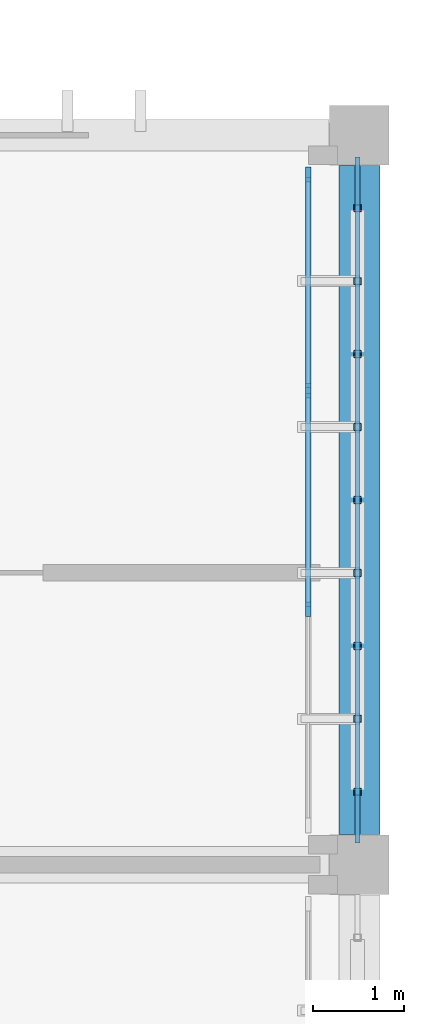
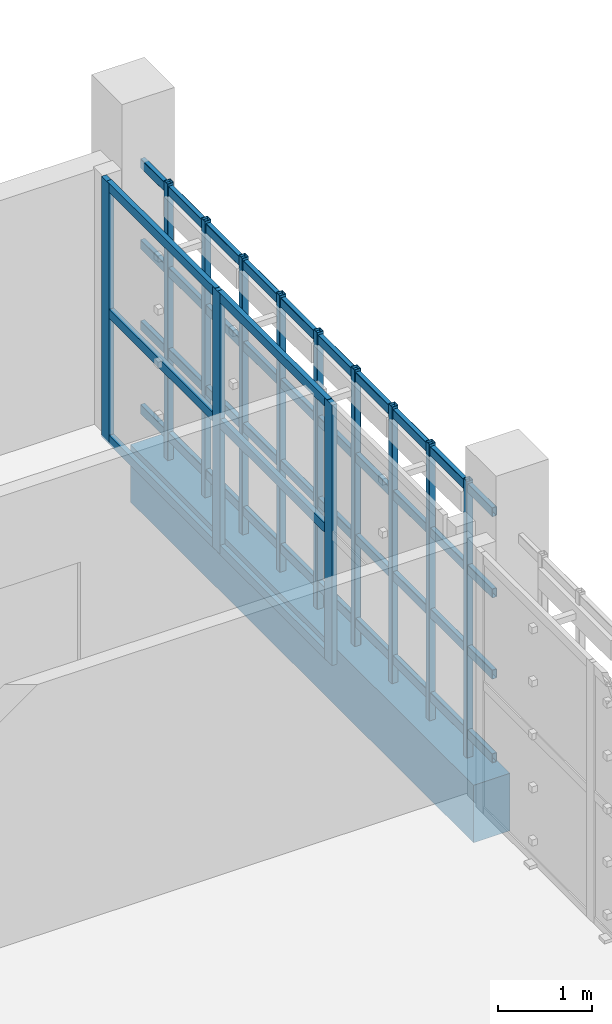
# One storey, part 64 of 137: 22 members, 1 beam, 1 element without a shape of its own.
"""IFC4 building model written with IfcOpenShell, lengths in metres."""

from ifc_helpers import new_model, si_unit, direction, frame, origin, origin_2d, place, context, subcontext, project, spatial, rectangle, hollow_rectangle, extrude, material, layer, layer_set, material_profile, profile_set, type_object, element, aggregate, save


model = new_model("IFC4")

# Units and contexts
model_context = context("Model", 3, precision=1e-05, world=origin(), true_north=direction((0.0, 1.0)))
body_context = subcontext(model_context, "Body", "Model", "MODEL_VIEW")
ifc_project = project(units=[si_unit("LENGTHUNIT", "METRE"), si_unit("AREAUNIT", "SQUARE_METRE"), si_unit("VOLUMEUNIT", "CUBIC_METRE"), si_unit("PLANEANGLEUNIT", "RADIAN"), si_unit("MASSUNIT", "GRAM", prefix="KILO")], contexts=[model_context])

# Site, building, storey
site_placement = place(None, origin())
site = spatial("IfcSite", under=ifc_project, at=site_placement, CompositionType="ELEMENT")
building_placement = place(site_placement, origin())
building = spatial("IfcBuilding", under=site, at=building_placement, Name="Jelvoka-Kovrelna Polytechnic", CompositionType="ELEMENT")
storey_placement = place(building_placement, frame((0.0, 0.0, 9.60009765625)))
storey = spatial("IfcBuildingStorey", under=building, at=storey_placement, Name="L03", CompositionType="ELEMENT", Elevation=9.60009765625)

# Beam
ifc_material_1 = material(Name="Concrete C40/50", Category="concrete")
ifc_material_profile_1 = material_profile(ifc_material_1, rectangle(XDim=0.449951171875, YDim=0.75, at=origin_2d()), Name="RC 450x750")
ifc_profile_set_1 = profile_set([ifc_material_profile_1], Name="Concrete C40/50")
beam_type = type_object("IfcBeamType", Name="Beam_RC_450x750", PredefinedType="BEAM", material=ifc_profile_set_1)
beam_placement = place(storey_placement, frame((200.0, 40.330078125, -0.64013671875), z_axis=(0.0, 1.0, 0.0), x_axis=(-1.0, 0.0, 0.0)))
element("IfcBeam", 1, at=beam_placement, inside=storey, type_object=beam_type, Name="L03 beam 1003", PredefinedType="BEAM", context=body_context, shape_type="SweptSolid", body=[
    extrude(rectangle(XDim=0.449951171875, YDim=0.75, at=origin_2d()), origin(), (0.0, 0.0, 1.0), 7.33984375),
])

# Members
ifc_material_2 = material(Name="Structural steel S355J2H", Category="steel")
ifc_material_profile_2 = material_profile(ifc_material_2, hollow_rectangle(XDim=0.06005859375, YDim=0.1201171875, WallThickness=0.0048828125, InnerFilletRadius=0.0048828125, OuterFilletRadius=0.007568359375, at=origin_2d()), Name="120x60x5.0 RHS")
ifc_profile_set_2 = profile_set([ifc_material_profile_2], Name="Structural steel S355J2H")
member_type_1 = type_object("IfcMemberType", Name="Member_Strut_RHS120", PredefinedType="STRUT", material=ifc_profile_set_2)
for number, where, z_axis, x_axis, name in (
    (2, (199.97998046875, 40.239990234375, 0.079833984375), (0.0, 1.0, 0.0), (-1.0, 0.0, 0.0), "L03 terracotta screen horizontal strut 0417"),
    (3, (199.97998046875, 40.239990234375, 1.17138671875), (0.0, 1.0, 0.0), (-1.0, 0.0, 0.0), "L03 terracotta screen horizontal strut 0418"),
    (4, (199.97998046875, 40.239990234375, 2.230712890625), (0.0, 1.0, 0.0), (-1.0, 0.0, 0.0), "L03 terracotta screen horizontal strut 0419"),
    (5, (199.97998046875, 40.239990234375, 3.289794921875), (0.0, 1.0, 0.0), (-1.0, 0.0, 0.0), "L03 terracotta screen horizontal strut 0420"),
):
    element("IfcMember", number, at=place(storey_placement, frame(where, z_axis=z_axis, x_axis=x_axis)), inside=storey, type_object=member_type_1, Name=name, PredefinedType="STRUT", context=body_context, shape_type="SweptSolid", body=[
        extrude(hollow_rectangle(XDim=0.06005859375, YDim=0.1201171875, WallThickness=0.0048828125, InnerFilletRadius=0.0048828125, OuterFilletRadius=0.007568359375, at=origin_2d()), origin(), (0.0, 0.0, 1.0), 7.52001953125),
    ])
ifc_material_3 = material(Name="Structural steel S355J2H", Category="steel")
ifc_material_profile_3 = material_profile(ifc_material_3, hollow_rectangle(XDim=0.080078125, YDim=0.080078125, WallThickness=0.0048828125, InnerFilletRadius=0.0048828125, OuterFilletRadius=0.007568359375, at=origin_2d()), Name="80x80x5.0 SHS")
ifc_profile_set_3 = profile_set([ifc_material_profile_3], Name="Structural steel S355J2H")
member_type_2 = type_object("IfcMemberType", Name="Member_Strut_SHS80", PredefinedType="STRUT", material=ifc_profile_set_3)
for number, where, z_axis, x_axis, name in (
    (6, (199.97998046875, 40.800048828125, -0.22998046875), (0.0, 0.0, 1.0), (1.0, 0.0, 0.0), "L03 terracotta lattice vertical rib 0421"),
    (7, (199.97998046875, 41.60009765625, -0.22998046875), (0.0, 0.0, 1.0), (1.0, 0.0, 0.0), "L03 terracotta lattice vertical rib 0422"),
    (8, (199.97998046875, 42.39990234375, -0.22998046875), (0.0, 0.0, 1.0), (1.0, 0.0, 0.0), "L03 terracotta lattice vertical rib 0423"),
    (9, (199.97998046875, 43.199951171875, -0.22998046875), (0.0, 0.0, 1.0), (1.0, 0.0, 0.0), "L03 terracotta lattice vertical rib 0424"),
    (10, (199.97998046875, 44.0, -0.22998046875), (0.0, 0.0, 1.0), (1.0, 0.0, 0.0), "L03 terracotta lattice vertical rib 0425"),
    (11, (199.97998046875, 44.800048828125, -0.22998046875), (0.0, 0.0, 1.0), (1.0, 0.0, 0.0), "L03 terracotta lattice vertical rib 0426"),
    (12, (199.97998046875, 45.60009765625, -0.22998046875), (0.0, 0.0, 1.0), (1.0, 0.0, 0.0), "L03 terracotta lattice vertical rib 0427"),
    (13, (199.97998046875, 46.39990234375, -0.22998046875), (0.0, 0.0, 1.0), (1.0, 0.0, 0.0), "L03 terracotta lattice vertical rib 0428"),
    (14, (199.97998046875, 47.199951171875, -0.22998046875), (0.0, 0.0, 1.0), (1.0, 0.0, 0.0), "L03 terracotta lattice vertical rib 0429"),
):
    element("IfcMember", number, at=place(storey_placement, frame(where, z_axis=z_axis, x_axis=x_axis)), inside=storey, type_object=member_type_2, Name=name, PredefinedType="STRUT", context=body_context, shape_type="SweptSolid", body=[
        extrude(hollow_rectangle(XDim=0.080078125, YDim=0.080078125, WallThickness=0.0048828125, InnerFilletRadius=0.0048828125, OuterFilletRadius=0.007568359375, at=origin_2d()), origin(), (0.0, 0.0, 1.0), 3.60986328125),
    ])

# Curtain wall, members
ifc_material_4 = material(Name="Anodised aluminium 6063-T6", Category="aluminium")
ifc_layer = layer(ifc_material_4, 0.159912109375)
ifc_layer_set = layer_set([ifc_layer], Name="Anodised aluminium 6063-T6")
curtain_wall_type = type_object("IfcCurtainWallType", Name="CW_Recessed_A", PredefinedType="NOTDEFINED", material=ifc_layer_set)
curtain_wall_placement = place(storey_placement, origin())
curtain_wall = element("IfcCurtainWall", 15, at=curtain_wall_placement, inside=storey, type_object=curtain_wall_type, Name="L03 glazed curtain wall 061", PredefinedType="NOTDEFINED")
ifc_material_5 = material(Name="Anodised aluminium 6063-T6", Category="aluminium")
ifc_material_profile_4 = material_profile(ifc_material_5, rectangle(XDim=0.06005859375, YDim=0.159912109375, at=origin_2d()), Name="ALU 60x160")
ifc_profile_set_4 = profile_set([ifc_material_profile_4], Name="Anodised aluminium 6063-T6")
member_type_3 = type_object("IfcMemberType", Name="Mullion_M-01", PredefinedType="MULLION", material=ifc_profile_set_4)
member_1_placement = place(storey_placement, frame((199.43994140625, 47.570068359375, -0.02490234375), z_axis=(0.0, 0.0, 1.0), x_axis=(1.0, 0.0, 0.0)))
member_1 = element("IfcMember", 16, at=member_1_placement, type_object=member_type_3, Name="CW-01 mullion 1", PredefinedType="MULLION", context=body_context, shape_type="SweptSolid", body=[
    extrude(rectangle(XDim=0.06005859375, YDim=0.159912109375, at=origin_2d()), origin(), (0.0, 0.0, 1.0), 3.39990234375),
])
member_2_placement = place(storey_placement, frame((199.43994140625, 45.199951171875, -0.02490234375), z_axis=(0.0, 0.0, 1.0), x_axis=(1.0, 0.0, 0.0)))
member_2 = element("IfcMember", 17, at=member_2_placement, type_object=member_type_3, Name="CW-01 mullion 2", PredefinedType="MULLION", context=body_context, shape_type="SweptSolid", body=[
    extrude(rectangle(XDim=0.06005859375, YDim=0.159912109375, at=origin_2d()), origin(), (0.0, 0.0, 1.0), 3.39990234375),
])
member_3_placement = place(storey_placement, frame((199.43994140625, 42.800048828125, -0.02490234375), z_axis=(0.0, 0.0, 1.0), x_axis=(1.0, 0.0, 0.0)))
member_3 = element("IfcMember", 18, at=member_3_placement, type_object=member_type_3, Name="CW-01 mullion 3", PredefinedType="MULLION", context=body_context, shape_type="SweptSolid", body=[
    extrude(rectangle(XDim=0.06005859375, YDim=0.159912109375, at=origin_2d()), origin(), (0.0, 0.0, 1.0), 3.39990234375),
])
ifc_material_6 = material(Name="Anodised aluminium 6063-T6", Category="aluminium")
ifc_material_profile_5 = material_profile(ifc_material_6, rectangle(XDim=0.06005859375, YDim=0.1201171875, at=origin_2d()), Name="ALU 60x120")
ifc_profile_set_5 = profile_set([ifc_material_profile_5], Name="Anodised aluminium 6063-T6")
member_type_4 = type_object("IfcMemberType", Name="Transom_T-01", PredefinedType="USERDEFINED", material=ifc_profile_set_5)
member_4_placement = place(storey_placement, frame((199.43994140625, 47.5400390625, 0.02978515625), z_axis=(0.0, -1.0, 0.0), x_axis=(1.0, 0.0, 0.0)))
member_4 = element("IfcMember", 19, at=member_4_placement, type_object=member_type_4, Name="CW-01 transom 1.1", ObjectType="TRANSOM", PredefinedType="USERDEFINED", context=body_context, shape_type="SweptSolid", body=[
    extrude(rectangle(XDim=0.06005859375, YDim=0.1201171875, at=origin_2d()), origin(), (0.0, 0.0, 1.0), 2.31005859375),
])
member_5_placement = place(storey_placement, frame((199.43994140625, 47.5400390625, 1.6748046875), z_axis=(0.0, -1.0, 0.0), x_axis=(1.0, 0.0, 0.0)))
member_5 = element("IfcMember", 20, at=member_5_placement, type_object=member_type_4, Name="CW-01 transom 1.2", ObjectType="TRANSOM", PredefinedType="USERDEFINED", context=body_context, shape_type="SweptSolid", body=[
    extrude(rectangle(XDim=0.06005859375, YDim=0.1201171875, at=origin_2d()), origin(), (0.0, 0.0, 1.0), 2.31005859375),
])
member_6_placement = place(storey_placement, frame((199.43994140625, 47.5400390625, 3.31982421875), z_axis=(0.0, -1.0, 0.0), x_axis=(1.0, 0.0, 0.0)))
member_6 = element("IfcMember", 21, at=member_6_placement, type_object=member_type_4, Name="CW-01 transom 1.3", ObjectType="TRANSOM", PredefinedType="USERDEFINED", context=body_context, shape_type="SweptSolid", body=[
    extrude(rectangle(XDim=0.06005859375, YDim=0.1201171875, at=origin_2d()), origin(), (0.0, 0.0, 1.0), 2.31005859375),
])
member_7_placement = place(storey_placement, frame((199.43994140625, 45.169921875, 0.02978515625), z_axis=(0.0, -1.0, 0.0), x_axis=(1.0, 0.0, 0.0)))
member_7 = element("IfcMember", 22, at=member_7_placement, type_object=member_type_4, Name="CW-01 transom 2.1", ObjectType="TRANSOM", PredefinedType="USERDEFINED", context=body_context, shape_type="SweptSolid", body=[
    extrude(rectangle(XDim=0.06005859375, YDim=0.1201171875, at=origin_2d()), origin(), (0.0, 0.0, 1.0), 2.33984375),
])
member_8_placement = place(storey_placement, frame((199.43994140625, 45.169921875, 1.6748046875), z_axis=(0.0, -1.0, 0.0), x_axis=(1.0, 0.0, 0.0)))
member_8 = element("IfcMember", 23, at=member_8_placement, type_object=member_type_4, Name="CW-01 transom 2.2", ObjectType="TRANSOM", PredefinedType="USERDEFINED", context=body_context, shape_type="SweptSolid", body=[
    extrude(rectangle(XDim=0.06005859375, YDim=0.1201171875, at=origin_2d()), origin(), (0.0, 0.0, 1.0), 2.33984375),
])
member_9_placement = place(storey_placement, frame((199.43994140625, 45.169921875, 3.31982421875), z_axis=(0.0, -1.0, 0.0), x_axis=(1.0, 0.0, 0.0)))
member_9 = element("IfcMember", 24, at=member_9_placement, type_object=member_type_4, Name="CW-01 transom 2.3", ObjectType="TRANSOM", PredefinedType="USERDEFINED", context=body_context, shape_type="SweptSolid", body=[
    extrude(rectangle(XDim=0.06005859375, YDim=0.1201171875, at=origin_2d()), origin(), (0.0, 0.0, 1.0), 2.33984375),
])
aggregate(curtain_wall, [member_1, member_2, member_3, member_4, member_5, member_6, member_7, member_8, member_9])

save(model, "model.ifc")
